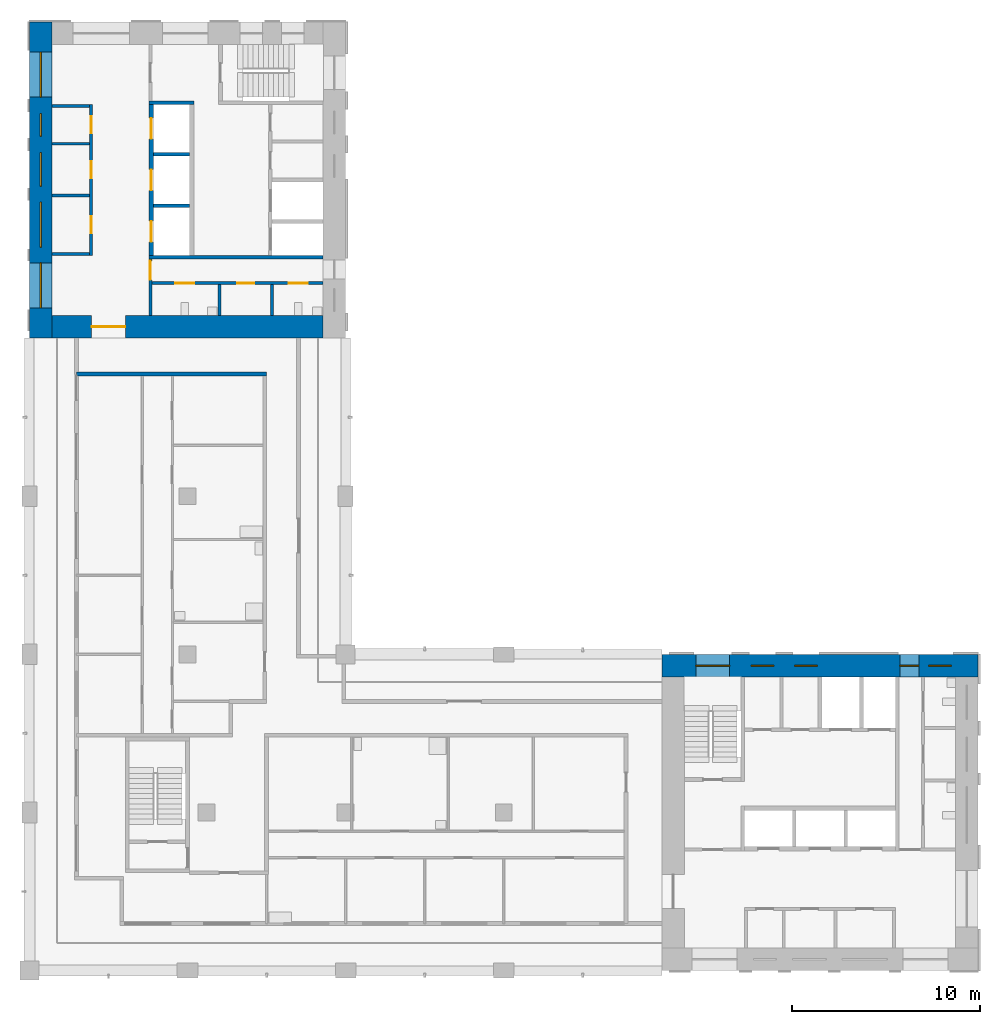
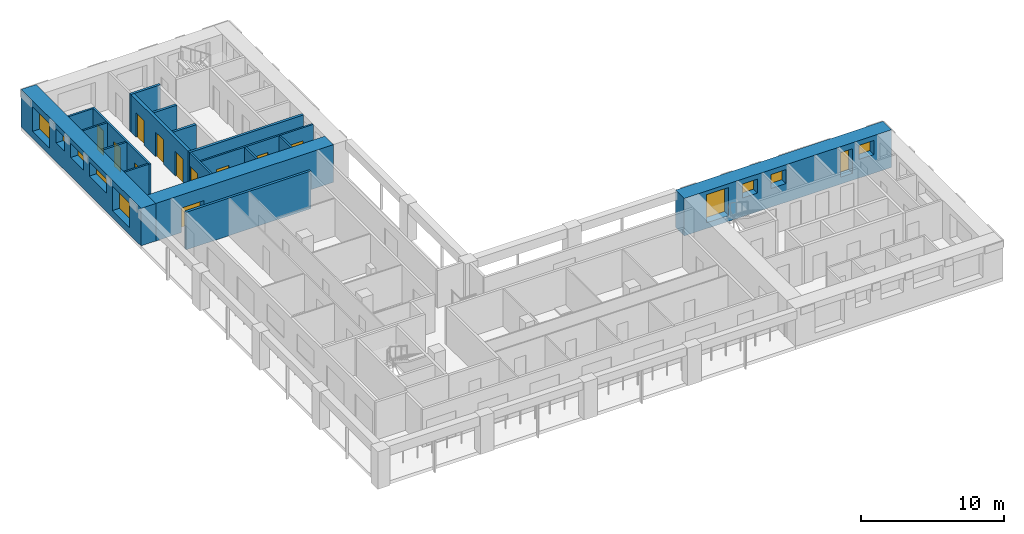
# One storey, part 5 of 9: 18 walls, 11 doors, 10 windows, 21 openings.
"""IFC4 building model written with IfcOpenShell, lengths in metres."""

from ifc_helpers import new_model, si_unit, direction, frame, frame_2d, origin, place, context, subcontext, project, spatial, rectangle, extrude, material, layer, layer_set, type_object, element, fill, save


model = new_model("IFC4")

# Units and contexts
model_context = context("Model", 3, precision=1e-05, world=origin(), true_north=direction((0.0, 1.0)))
body_context = subcontext(model_context, "Body", "Model", "MODEL_VIEW")
ifc_project = project(units=[si_unit("LENGTHUNIT", "METRE"), si_unit("AREAUNIT", "SQUARE_METRE"), si_unit("VOLUMEUNIT", "CUBIC_METRE"), si_unit("PLANEANGLEUNIT", "RADIAN"), si_unit("MASSUNIT", "GRAM", prefix="KILO")], contexts=[model_context])

# Site, building, storey
site_placement = place(None, origin())
site = spatial("IfcSite", under=ifc_project, at=site_placement, CompositionType="ELEMENT")
building_placement = place(site_placement, origin())
building = spatial("IfcBuilding", under=site, at=building_placement, Name="Vermilion Gate Residences", CompositionType="ELEMENT")
storey_placement = place(building_placement, frame((0.0, 0.0, 231.699951171875)))
storey = spatial("IfcBuildingStorey", under=building, at=storey_placement, Name="L60", CompositionType="ELEMENT", Elevation=231.699951171875)

# Walls
ifc_material_1 = material(Name="Masonry blockwork", Category="masonry")
ifc_layer_1 = layer(ifc_material_1, 0.14990234375)
ifc_layer_set_1 = layer_set([ifc_layer_1], Name="BLOCKWORK PARTITION 150 EI 120")
wall_type_1 = type_object("IfcWallType", Name="BLOCKWORK PARTITION 150 EI 120", PredefinedType="PARTITIONING", material=ifc_layer_set_1)
for number, where, z_axis, x_axis, name in (
    (1, (9.60009765625, 54.324951171875, 0.0), (0.0, 0.0, 1.0), (1.0, 0.0, 0.0), "Core room partition B60-RW-W"),
    (2, (9.60009765625, 46.47509765625, 0.0), (0.0, 0.0, 1.0), (1.0, 0.0, 0.0), "Core room partition B60-RW-E"),
    (3, (9.60009765625, 52.324951171875, 0.0), (0.0, 0.0, 1.0), (1.0, 0.0, 0.0), "Core room partition B60-SR-P0"),
    (4, (9.60009765625, 49.5849609375, 0.0), (0.0, 0.0, 1.0), (1.0, 0.0, 0.0), "Core room partition B60-SR-P1"),
):
    element("IfcWall", number, at=place(storey_placement, frame(where, z_axis=z_axis, x_axis=x_axis)), inside=storey, type_object=wall_type_1, Name=name, PredefinedType="PARTITIONING", context=body_context, shape_type="SweptSolid", body=[
        extrude(rectangle(XDim=2.0, YDim=0.14990234375, at=frame_2d((1.0, 0.0))), origin(), (0.0, 0.0, 1.0), 3.219970703125),
    ])

# Wall, openings, doors
wall_1_placement = place(storey_placement, frame((11.675048828125, 54.39990234375, 0.0), z_axis=(0.0, 0.0, 1.0), x_axis=(0.0, -1.0, 0.0)))
wall_1 = element("IfcWall", 5, at=wall_1_placement, inside=storey, type_object=wall_type_1, Name="Core room partition B60-LR-F", PredefinedType="PARTITIONING", context=body_context, shape_type="SweptSolid", body=[
    extrude(rectangle(XDim=8.0, YDim=0.14990234375, at=frame_2d((4.0, 0.0))), origin(), (0.0, 0.0, 1.0), 3.219970703125),
])
opening_1_placement = place(wall_1_placement, frame((0.625, 0.0, 0.0)))
opening_1 = element("IfcOpeningElement", 6, at=opening_1_placement, cuts=wall_1, Name="Opening DK60102", PredefinedType="OPENING", context=body_context, shape_type="SweptSolid", body=[
    extrude(rectangle(XDim=0.89990234375, YDim=2.10009765625, at=frame_2d((0.449951171875, 1.050048828125))), frame((0.0, 0.0849609375, 0.0), z_axis=(0.0, -1.0, 0.0), x_axis=(1.0, 0.0, 0.0)), (0.0, 0.0, 1.0), 0.169921875),
])
opening_2_placement = place(wall_1_placement, frame((2.9951171875, 0.0, 0.0)))
opening_2 = element("IfcOpeningElement", 7, at=opening_2_placement, cuts=wall_1, Name="Opening DK60103", PredefinedType="OPENING", context=body_context, shape_type="SweptSolid", body=[
    extrude(rectangle(XDim=0.89990234375, YDim=2.10009765625, at=frame_2d((0.449951171875, 1.050048828125))), frame((0.0, 0.0849609375, 0.0), z_axis=(0.0, -1.0, 0.0), x_axis=(1.0, 0.0, 0.0)), (0.0, 0.0, 1.0), 0.169921875),
])
opening_3_placement = place(wall_1_placement, frame((5.919921875, 0.0, 0.0)))
opening_3 = element("IfcOpeningElement", 8, at=opening_3_placement, cuts=wall_1, Name="Opening DK60104", PredefinedType="OPENING", context=body_context, shape_type="SweptSolid", body=[
    extrude(rectangle(XDim=0.89990234375, YDim=2.10009765625, at=frame_2d((0.449951171875, 1.050048828125))), frame((0.0, 0.0849609375, 0.0), z_axis=(0.0, -1.0, 0.0), x_axis=(1.0, 0.0, 0.0)), (0.0, 0.0, 1.0), 0.169921875),
])
ifc_material_2 = material(Name="Steel", Category="steel")
door_type_1 = type_object("IfcDoorType", Name="SERVICE ROOM DOOR FD60 900 X 2100", OperationType="SINGLE_SWING_LEFT", PredefinedType="DOOR", material=ifc_material_2)
door_1_placement = place(opening_1_placement, frame((0.89990234375, 0.0, 0.0), z_axis=(0.0, 0.0, 1.0), x_axis=(-1.0, 0.0, 0.0)))
door_1 = element("IfcDoor", 9, at=door_1_placement, inside=storey, type_object=door_type_1, Name="Mail room B60", OperationType="SINGLE_SWING_LEFT", OverallHeight=2.10009765625, OverallWidth=0.89990234375, PredefinedType="DOOR", context=body_context, shape_type="SweptSolid", body=[
    extrude(rectangle(XDim=0.89990234375, YDim=2.10009765625, at=frame_2d((0.449951171875, 1.050048828125))), frame((0.0, 0.02490234375, 0.0), z_axis=(0.0, -1.0, 0.0), x_axis=(1.0, 0.0, 0.0)), (0.0, 0.0, 1.0), 0.050048828125),
])
fill(opening_1, door_1)
door_2_placement = place(opening_2_placement, frame((0.89990234375, 0.0, 0.0), z_axis=(0.0, 0.0, 1.0), x_axis=(-1.0, 0.0, 0.0)))
door_2 = element("IfcDoor", 10, at=door_2_placement, inside=storey, type_object=door_type_1, Name="Cleaner's store B60", OperationType="SINGLE_SWING_LEFT", OverallHeight=2.10009765625, OverallWidth=0.89990234375, PredefinedType="DOOR", context=body_context, shape_type="SweptSolid", body=[
    extrude(rectangle(XDim=0.89990234375, YDim=2.10009765625, at=frame_2d((0.449951171875, 1.050048828125))), frame((0.0, 0.02490234375, 0.0), z_axis=(0.0, -1.0, 0.0), x_axis=(1.0, 0.0, 0.0)), (0.0, 0.0, 1.0), 0.050048828125),
])
fill(opening_2, door_2)
door_3_placement = place(opening_3_placement, origin())
door_3 = element("IfcDoor", 11, at=door_3_placement, inside=storey, type_object=door_type_1, Name="Electrical room B60", OperationType="SINGLE_SWING_LEFT", OverallHeight=2.10009765625, OverallWidth=0.89990234375, PredefinedType="DOOR", context=body_context, shape_type="SweptSolid", body=[
    extrude(rectangle(XDim=0.89990234375, YDim=2.10009765625, at=frame_2d((0.449951171875, 1.050048828125))), frame((0.0, 0.02490234375, 0.0), z_axis=(0.0, -1.0, 0.0), x_axis=(1.0, 0.0, 0.0)), (0.0, 0.0, 1.0), 0.050048828125),
])
fill(opening_3, door_3)

# Wall, opening, door
wall_2_placement = place(storey_placement, frame((14.824951171875, 46.199951171875, 0.0), z_axis=(0.0, 0.0, 1.0), x_axis=(0.0, -1.0, 0.0)))
wall_2 = element("IfcWall", 12, at=wall_2_placement, inside=storey, type_object=wall_type_1, Name="Core room partition B60-ES-S", PredefinedType="PARTITIONING", context=body_context, shape_type="SweptSolid", body=[
    extrude(rectangle(XDim=3.0, YDim=0.14990234375, at=frame_2d((1.5, 0.0))), origin(), (0.0, 0.0, 1.0), 3.219970703125),
])
opening_4_placement = place(wall_2_placement, frame((0.10009765625, 0.0, 0.0)))
opening_4 = element("IfcOpeningElement", 13, at=opening_4_placement, cuts=wall_2, Name="Opening DK60114", PredefinedType="OPENING", context=body_context, shape_type="SweptSolid", body=[
    extrude(rectangle(XDim=1.0, YDim=2.10009765625, at=frame_2d((0.5, 1.050048828125))), frame((0.0, 0.0849609375, 0.0), z_axis=(0.0, -1.0, 0.0), x_axis=(1.0, 0.0, 0.0)), (0.0, 0.0, 1.0), 0.169921875),
])
ifc_material_3 = material(Name="Steel", Category="steel")
door_type_2 = type_object("IfcDoorType", Name="FIRE DOOR FD60 1000 X 2100", OperationType="SINGLE_SWING_LEFT", PredefinedType="DOOR", material=ifc_material_3)
door_4_placement = place(opening_4_placement, frame((1.0, 0.0, 0.0), z_axis=(0.0, 0.0, 1.0), x_axis=(-1.0, 0.0, 0.0)))
door_4 = element("IfcDoor", 14, at=door_4_placement, inside=storey, type_object=door_type_2, Name="Service corridor door B60", OperationType="SINGLE_SWING_LEFT", OverallHeight=2.10009765625, OverallWidth=1.0, PredefinedType="DOOR", context=body_context, shape_type="SweptSolid", body=[
    extrude(rectangle(XDim=1.0, YDim=2.10009765625, at=frame_2d((0.5, 1.050048828125))), frame((0.0, 0.02490234375, 0.0), z_axis=(0.0, -1.0, 0.0), x_axis=(1.0, 0.0, 0.0)), (0.0, 0.0, 1.0), 0.050048828125),
])
fill(opening_4, door_4)

# Walls
for number, where, z_axis, x_axis, name in (
    (15, (18.4951171875, 44.85009765625, 0.0), (0.0, 0.0, 1.0), (0.0, -1.0, 0.0), "Core room partition B60-ES-P0"),
    (16, (21.284912109375, 44.85009765625, 0.0), (0.0, 0.0, 1.0), (0.0, -1.0, 0.0), "Core room partition B60-ES-P1"),
):
    element("IfcWall", number, at=place(storey_placement, frame(where, z_axis=z_axis, x_axis=x_axis)), inside=storey, type_object=wall_type_1, Name=name, PredefinedType="PARTITIONING", context=body_context, shape_type="SweptSolid", body=[
        extrude(rectangle(XDim=1.650146484375, YDim=0.14990234375, at=frame_2d((0.8251953125, 0.0))), origin(), (0.0, 0.0, 1.0), 3.219970703125),
    ])

# Wall, openings, doors
wall_3_placement = place(storey_placement, frame((14.89990234375, 44.925048828125, 0.0), z_axis=(0.0, 0.0, 1.0), x_axis=(1.0, 0.0, 0.0)))
wall_3 = element("IfcWall", 17, at=wall_3_placement, inside=storey, type_object=wall_type_1, Name="Core room partition B60-ES-W", PredefinedType="PARTITIONING", context=body_context, shape_type="SweptSolid", body=[
    extrude(rectangle(XDim=9.10009765625, YDim=0.14990234375, at=frame_2d((4.550048828125, 0.0))), origin(), (0.0, 0.0, 1.0), 3.219970703125),
])
opening_5_placement = place(wall_3_placement, frame((1.260009765625, 0.0, 0.0)))
opening_5 = element("IfcOpeningElement", 18, at=opening_5_placement, cuts=wall_3, Name="Opening DK60115", PredefinedType="OPENING", context=body_context, shape_type="SweptSolid", body=[
    extrude(rectangle(XDim=1.0, YDim=2.10009765625, at=frame_2d((0.5, 1.050048828125))), frame((0.0, 0.0849609375, 0.0), z_axis=(0.0, -1.0, 0.0), x_axis=(1.0, 0.0, 0.0)), (0.0, 0.0, 1.0), 0.169921875),
])
opening_6_placement = place(wall_3_placement, frame((4.5400390625, 0.0, 0.0)))
opening_6 = element("IfcOpeningElement", 19, at=opening_6_placement, cuts=wall_3, Name="Opening DK60116", PredefinedType="OPENING", context=body_context, shape_type="SweptSolid", body=[
    extrude(rectangle(XDim=0.89990234375, YDim=2.10009765625, at=frame_2d((0.449951171875, 1.050048828125))), frame((0.0, 0.0849609375, 0.0), z_axis=(0.0, -1.0, 0.0), x_axis=(1.0, 0.0, 0.0)), (0.0, 0.0, 1.0), 0.169921875),
])
opening_7_placement = place(wall_3_placement, frame((7.280029296875, 0.0, 0.0)))
opening_7 = element("IfcOpeningElement", 20, at=opening_7_placement, cuts=wall_3, Name="Opening DK60117", PredefinedType="OPENING", context=body_context, shape_type="SweptSolid", body=[
    extrude(rectangle(XDim=1.0, YDim=2.10009765625, at=frame_2d((0.5, 1.050048828125))), frame((0.0, 0.0849609375, 0.0), z_axis=(0.0, -1.0, 0.0), x_axis=(1.0, 0.0, 0.0)), (0.0, 0.0, 1.0), 0.169921875),
])
door_5_placement = place(opening_5_placement, frame((1.0, 0.0, 0.0), z_axis=(0.0, 0.0, 1.0), x_axis=(-1.0, 0.0, 0.0)))
door_5 = element("IfcDoor", 21, at=door_5_placement, inside=storey, type_object=door_type_2, Name="Accessible WC B60", OperationType="SINGLE_SWING_RIGHT", OverallHeight=2.10009765625, OverallWidth=1.0, PredefinedType="DOOR", context=body_context, shape_type="SweptSolid", body=[
    extrude(rectangle(XDim=1.0, YDim=2.10009765625, at=frame_2d((0.5, 1.050048828125))), frame((0.0, 0.02490234375, 0.0), z_axis=(0.0, -1.0, 0.0), x_axis=(1.0, 0.0, 0.0)), (0.0, 0.0, 1.0), 0.050048828125),
])
fill(opening_5, door_5)
door_6_placement = place(opening_7_placement, frame((1.0, 0.0, 0.0), z_axis=(0.0, 0.0, 1.0), x_axis=(-1.0, 0.0, 0.0)))
door_6 = element("IfcDoor", 22, at=door_6_placement, inside=storey, type_object=door_type_2, Name="Accessible WC B60", OperationType="SINGLE_SWING_RIGHT", OverallHeight=2.10009765625, OverallWidth=1.0, PredefinedType="DOOR", context=body_context, shape_type="SweptSolid", body=[
    extrude(rectangle(XDim=1.0, YDim=2.10009765625, at=frame_2d((0.5, 1.050048828125))), frame((0.0, 0.02490234375, 0.0), z_axis=(0.0, -1.0, 0.0), x_axis=(1.0, 0.0, 0.0)), (0.0, 0.0, 1.0), 0.050048828125),
])
fill(opening_7, door_6)
door_7_placement = place(opening_6_placement, frame((0.89990234375, 0.0, 0.0), z_axis=(0.0, 0.0, 1.0), x_axis=(-1.0, 0.0, 0.0)))
door_7 = element("IfcDoor", 23, at=door_7_placement, inside=storey, type_object=door_type_1, Name="Communications room B60", OperationType="SINGLE_SWING_RIGHT", OverallHeight=2.10009765625, OverallWidth=0.89990234375, PredefinedType="DOOR", context=body_context, shape_type="SweptSolid", body=[
    extrude(rectangle(XDim=0.89990234375, YDim=2.10009765625, at=frame_2d((0.449951171875, 1.050048828125))), frame((0.0, 0.02490234375, 0.0), z_axis=(0.0, -1.0, 0.0), x_axis=(1.0, 0.0, 0.0)), (0.0, 0.0, 1.0), 0.050048828125),
])
fill(opening_6, door_7)

# Walls
ifc_material_4 = material(Name="Fire-rated plasterboard on steel studs", Category="steel")
ifc_layer_2 = layer(ifc_material_4, 0.199951171875)
ifc_layer_set_2 = layer_set([ifc_layer_2], Name="PARTY WALL 200 EI 120")
wall_type_2 = type_object("IfcWallType", Name="PARTY WALL 200 EI 120", PredefinedType="PARTITIONING", material=ifc_layer_set_2)
wall_4_placement = place(storey_placement, frame((10.89990234375, 40.10009765625, 0.0), z_axis=(0.0, 0.0, 1.0), x_axis=(1.0, 0.0, 0.0)))
element("IfcWall", 24, at=wall_4_placement, inside=storey, type_object=wall_type_2, Name="Party and corridor wall", PredefinedType="PARTITIONING", context=body_context, shape_type="SweptSolid", body=[
    extrude(rectangle(XDim=10.10009765625, YDim=0.199951171875, at=frame_2d((5.050048828125, 0.0))), origin(), (0.0, 0.0, 1.0), 3.219970703125),
])
ifc_material_5 = material(Name="Concrete C60", Category="concrete")
ifc_layer_3 = layer(ifc_material_5, 0.199951171875)
ifc_layer_set_3 = layer_set([ifc_layer_3], Name="RC CORE INTERNAL WALL 200 C60")
wall_type_3 = type_object("IfcWallType", Name="RC CORE INTERNAL WALL 200 C60", PredefinedType="SHEAR", material=ifc_layer_set_3)
for number, where, z_axis, x_axis, name in (
    (25, (15.0, 51.7666015625, 0.0), (0.0, 0.0, 1.0), (1.0, 0.0, 0.0), "Core internal wall B60-HR-D1"),
    (26, (15.0, 49.033447265625, 0.0), (0.0, 0.0, 1.0), (1.0, 0.0, 0.0), "Core internal wall B60-HR-D2"),
):
    element("IfcWall", number, at=place(storey_placement, frame(where, z_axis=z_axis, x_axis=x_axis)), inside=storey, type_object=wall_type_3, Name=name, PredefinedType="SHEAR", context=body_context, shape_type="SweptSolid", body=[
        extrude(rectangle(XDim=1.89990234375, YDim=0.199951171875, at=frame_2d((0.949951171875, 0.0))), origin(), (0.0, 0.0, 1.0), 3.219970703125),
    ])
wall_5_placement = place(storey_placement, frame((14.75, 54.5, 0.0), z_axis=(0.0, 0.0, 1.0), x_axis=(1.0, 0.0, 0.0)))
element("IfcWall", 27, at=wall_5_placement, inside=storey, type_object=wall_type_3, Name="Core internal wall B60-WDIV1", PredefinedType="SHEAR", context=body_context, shape_type="SweptSolid", body=[
    extrude(rectangle(XDim=2.39990234375, YDim=0.199951171875, at=frame_2d((1.199951171875, 0.0))), origin(), (0.0, 0.0, 1.0), 3.219970703125),
])
wall_6_placement = place(storey_placement, frame((14.75, 46.300048828125, 0.0), z_axis=(0.0, 0.0, 1.0), x_axis=(1.0, 0.0, 0.0)))
element("IfcWall", 28, at=wall_6_placement, inside=storey, type_object=wall_type_3, Name="Core internal wall B60-EDIV", PredefinedType="SHEAR", context=body_context, shape_type="SweptSolid", body=[
    extrude(rectangle(XDim=9.25, YDim=0.199951171875, at=frame_2d((4.625, 0.0))), origin(), (0.0, 0.0, 1.0), 3.219970703125),
])

# Wall, opening, door
ifc_material_6 = material(Name="Concrete C50", Category="concrete")
ifc_layer_4 = layer(ifc_material_6, 1.199951171875)
ifc_layer_set_4 = layer_set([ifc_layer_4], Name="RC CORE WALL 1200 C50")
wall_type_4 = type_object("IfcWallType", Name="RC CORE WALL 1200 C50", PredefinedType="SHEAR", material=ifc_layer_set_4)
wall_7_placement = place(storey_placement, frame((9.60009765625, 42.60009765625, 0.0), z_axis=(0.0, 0.0, 1.0), x_axis=(1.0, 0.0, 0.0)))
wall_7 = element("IfcWall", 29, at=wall_7_placement, inside=storey, type_object=wall_type_4, Name="Core wall B60-OUT-BK", PredefinedType="SHEAR", context=body_context, shape_type="SweptSolid", body=[
    extrude(rectangle(XDim=14.39990234375, YDim=1.199951171875, at=frame_2d((7.199951171875, 0.0))), origin(), (0.0, 0.0, 1.0), 3.219970703125),
])
opening_8_placement = place(wall_7_placement, frame((2.10009765625, 0.0, 0.0)))
opening_8 = element("IfcOpeningElement", 30, at=opening_8_placement, cuts=wall_7, Name="Opening DK60101", PredefinedType="OPENING", context=body_context, shape_type="SweptSolid", body=[
    extrude(rectangle(XDim=1.800048828125, YDim=2.10009765625, at=frame_2d((0.89990234375, 1.050048828125))), frame((0.0, 0.60986328125, 0.0), z_axis=(0.0, -1.0, 0.0), x_axis=(1.0, 0.0, 0.0)), (0.0, 0.0, 1.0), 1.219970703125),
])
ifc_material_7 = material(Name="Steel", Category="steel")
door_type_3 = type_object("IfcDoorType", Name="CORE LOBBY DOOR FD60 1800 X 2100", OperationType="DOUBLE_DOOR_SINGLE_SWING", PredefinedType="DOOR", material=ifc_material_7)
door_8_placement = place(opening_8_placement, frame((1.800048828125, 0.0, 0.0), z_axis=(0.0, 0.0, 1.0), x_axis=(-1.0, 0.0, 0.0)))
door_8 = element("IfcDoor", 31, at=door_8_placement, inside=storey, type_object=door_type_3, Name="Core lobby door B60", OperationType="DOUBLE_DOOR_SINGLE_SWING", OverallHeight=2.10009765625, OverallWidth=1.800048828125, PredefinedType="DOOR", context=body_context, shape_type="SweptSolid", body=[
    extrude(rectangle(XDim=1.800048828125, YDim=2.10009765625, at=frame_2d((0.89990234375, 1.050048828125))), frame((0.0, 0.02490234375, 0.0), z_axis=(0.0, -1.0, 0.0), x_axis=(1.0, 0.0, 0.0)), (0.0, 0.0, 1.0), 0.050048828125),
])
fill(opening_8, door_8)

# Wall, openings, windows
ifc_material_8 = material(Name="Concrete C50 red-oxide pigmented", Category="concrete")
ifc_layer_5 = layer(ifc_material_8, 1.199951171875)
ifc_layer_set_5 = layer_set([ifc_layer_5], Name="RC CORE WALL 1200 C50 RED OXIDE")
wall_type_5 = type_object("IfcWallType", Name="RC CORE WALL 1200 C50 RED OXIDE", PredefinedType="SHEAR", material=ifc_layer_set_5)
wall_8_placement = place(storey_placement, frame((42.0, 24.60009765625, 0.0), z_axis=(0.0, 0.0, 1.0), x_axis=(1.0, 0.0, 0.0)))
wall_8 = element("IfcWall", 32, at=wall_8_placement, inside=storey, type_object=wall_type_5, Name="Core wall A60-OUT-B1", PredefinedType="SHEAR", context=body_context, shape_type="SweptSolid", body=[
    extrude(rectangle(XDim=16.800048828125, YDim=1.199951171875, at=frame_2d((8.39990234375, 0.0))), origin(), (0.0, 0.0, 1.0), 3.219970703125),
])
opening_9_placement = place(wall_8_placement, frame((1.800048828125, 0.0, 0.5)))
opening_9 = element("IfcOpeningElement", 33, at=opening_9_placement, cuts=wall_8, Name="Opening WKA6006", PredefinedType="OPENING", context=body_context, shape_type="SweptSolid", body=[
    extrude(rectangle(XDim=1.800048828125, YDim=2.39990234375, at=frame_2d((0.89990234375, 1.199951171875))), frame((0.0, 0.60986328125, 0.0), z_axis=(0.0, -1.0, 0.0), x_axis=(1.0, 0.0, 0.0)), (0.0, 0.0, 1.0), 1.219970703125),
])
opening_10_placement = place(wall_8_placement, frame((4.737548828125, 0.0, 1.60009765625)))
opening_10 = element("IfcOpeningElement", 34, at=opening_10_placement, cuts=wall_8, Name="Opening WKA6007", PredefinedType="OPENING", context=body_context, shape_type="SweptSolid", body=[
    extrude(rectangle(XDim=1.199951171875, YDim=1.199951171875, at=frame_2d((0.60009765625, 0.60009765625))), frame((0.0, 0.60986328125, 0.0), z_axis=(0.0, -1.0, 0.0), x_axis=(1.0, 0.0, 0.0)), (0.0, 0.0, 1.0), 1.219970703125),
])
opening_11_placement = place(wall_8_placement, frame((7.050048828125, 0.0, 1.60009765625)))
opening_11 = element("IfcOpeningElement", 35, at=opening_11_placement, cuts=wall_8, Name="Opening WKA6008", PredefinedType="OPENING", context=body_context, shape_type="SweptSolid", body=[
    extrude(rectangle(XDim=1.199951171875, YDim=1.199951171875, at=frame_2d((0.60009765625, 0.60009765625))), frame((0.0, 0.60986328125, 0.0), z_axis=(0.0, -1.0, 0.0), x_axis=(1.0, 0.0, 0.0)), (0.0, 0.0, 1.0), 1.219970703125),
])
opening_12_placement = place(wall_8_placement, frame((12.64990234375, 0.0, 0.60009765625)))
opening_12 = element("IfcOpeningElement", 36, at=opening_12_placement, cuts=wall_8, Name="Opening WKA6009", PredefinedType="OPENING", context=body_context, shape_type="SweptSolid", body=[
    extrude(rectangle(XDim=1.0, YDim=2.10009765625, at=frame_2d((0.5, 1.050048828125))), frame((0.0, 0.60986328125, 0.0), z_axis=(0.0, -1.0, 0.0), x_axis=(1.0, 0.0, 0.0)), (0.0, 0.0, 1.0), 1.219970703125),
])
opening_13_placement = place(wall_8_placement, frame((14.175048828125, 0.0, 1.60009765625)))
opening_13 = element("IfcOpeningElement", 37, at=opening_13_placement, cuts=wall_8, Name="Opening WKA6010", PredefinedType="OPENING", context=body_context, shape_type="SweptSolid", body=[
    extrude(rectangle(XDim=1.199951171875, YDim=1.199951171875, at=frame_2d((0.60009765625, 0.60009765625))), frame((0.0, 0.60986328125, 0.0), z_axis=(0.0, -1.0, 0.0), x_axis=(1.0, 0.0, 0.0)), (0.0, 0.0, 1.0), 1.219970703125),
])
ifc_material_9 = material(Name="Aluminium and clear glass", Category="aluminium")
window_type_1 = type_object("IfcWindowType", Name="CORE CORRIDOR WINDOW 1000 X 2100", PartitioningType="SINGLE_PANEL", PredefinedType="WINDOW", material=ifc_material_9)
window_1_placement = place(opening_12_placement, origin())
window_1 = element("IfcWindow", 38, at=window_1_placement, inside=storey, type_object=window_type_1, Name="Core corridor window", OverallHeight=2.10009765625, OverallWidth=1.0, PartitioningType="SINGLE_PANEL", PredefinedType="WINDOW", context=body_context, shape_type="SweptSolid", body=[
    extrude(rectangle(XDim=1.0, YDim=2.10009765625, at=frame_2d((0.5, 1.050048828125))), frame((0.0, 0.030029296875, 0.0), z_axis=(0.0, -1.0, 0.0), x_axis=(1.0, 0.0, 0.0)), (0.0, 0.0, 1.0), 0.06005859375),
])
fill(opening_12, window_1)
ifc_material_10 = material(Name="Aluminium frame with louvre blades", Category="aluminium")
window_type_2 = type_object("IfcWindowType", Name="CORE LOUVRE 1200 X 1200", PartitioningType="SINGLE_PANEL", PredefinedType="WINDOW", material=ifc_material_10)
window_2_placement = place(opening_10_placement, origin())
window_2 = element("IfcWindow", 39, at=window_2_placement, inside=storey, type_object=window_type_2, Name="Core louvre", OverallHeight=1.199951171875, OverallWidth=1.199951171875, PartitioningType="SINGLE_PANEL", PredefinedType="WINDOW", context=body_context, shape_type="SweptSolid", body=[
    extrude(rectangle(XDim=1.199951171875, YDim=1.199951171875, at=frame_2d((0.60009765625, 0.60009765625))), frame((0.0, 0.030029296875, 0.0), z_axis=(0.0, -1.0, 0.0), x_axis=(1.0, 0.0, 0.0)), (0.0, 0.0, 1.0), 0.06005859375),
])
fill(opening_10, window_2)
window_3_placement = place(opening_11_placement, origin())
window_3 = element("IfcWindow", 40, at=window_3_placement, inside=storey, type_object=window_type_2, Name="Core louvre", OverallHeight=1.199951171875, OverallWidth=1.199951171875, PartitioningType="SINGLE_PANEL", PredefinedType="WINDOW", context=body_context, shape_type="SweptSolid", body=[
    extrude(rectangle(XDim=1.199951171875, YDim=1.199951171875, at=frame_2d((0.60009765625, 0.60009765625))), frame((0.0, 0.030029296875, 0.0), z_axis=(0.0, -1.0, 0.0), x_axis=(1.0, 0.0, 0.0)), (0.0, 0.0, 1.0), 0.06005859375),
])
fill(opening_11, window_3)
window_4_placement = place(opening_13_placement, origin())
window_4 = element("IfcWindow", 41, at=window_4_placement, inside=storey, type_object=window_type_2, Name="Core louvre", OverallHeight=1.199951171875, OverallWidth=1.199951171875, PartitioningType="SINGLE_PANEL", PredefinedType="WINDOW", context=body_context, shape_type="SweptSolid", body=[
    extrude(rectangle(XDim=1.199951171875, YDim=1.199951171875, at=frame_2d((0.60009765625, 0.60009765625))), frame((0.0, 0.030029296875, 0.0), z_axis=(0.0, -1.0, 0.0), x_axis=(1.0, 0.0, 0.0)), (0.0, 0.0, 1.0), 0.06005859375),
])
fill(opening_13, window_4)
ifc_material_11 = material(Name="Aluminium and clear glass", Category="aluminium")
window_type_3 = type_object("IfcWindowType", Name="CORE STAIR WINDOW 1800 X 2400", PartitioningType="SINGLE_PANEL", PredefinedType="WINDOW", material=ifc_material_11)
window_5_placement = place(opening_9_placement, origin())
window_5 = element("IfcWindow", 42, at=window_5_placement, inside=storey, type_object=window_type_3, Name="Core stair window", OverallHeight=2.39990234375, OverallWidth=1.800048828125, PartitioningType="SINGLE_PANEL", PredefinedType="WINDOW", context=body_context, shape_type="SweptSolid", body=[
    extrude(rectangle(XDim=1.800048828125, YDim=2.39990234375, at=frame_2d((0.89990234375, 1.199951171875))), frame((0.0, 0.030029296875, 0.0), z_axis=(0.0, -1.0, 0.0), x_axis=(1.0, 0.0, 0.0)), (0.0, 0.0, 1.0), 0.06005859375),
])
fill(opening_9, window_5)

wall_9_placement = place(storey_placement, frame((9.0, 58.800048828125, 0.0), z_axis=(0.0, 0.0, 1.0), x_axis=(0.0, -1.0, 0.0)))
wall_9 = element("IfcWall", 43, at=wall_9_placement, inside=storey, type_object=wall_type_5, Name="Core wall B60-OUT-B0", PredefinedType="SHEAR", context=body_context, shape_type="SweptSolid", body=[
    extrude(rectangle(XDim=16.800048828125, YDim=1.199951171875, at=frame_2d((8.39990234375, 0.0))), origin(), (0.0, 0.0, 1.0), 3.219970703125),
])
opening_14_placement = place(wall_9_placement, frame((1.60009765625, 0.0, 0.60009765625)))
opening_14 = element("IfcOpeningElement", 44, at=opening_14_placement, cuts=wall_9, Name="Opening WKB6001", PredefinedType="OPENING", context=body_context, shape_type="SweptSolid", body=[
    extrude(rectangle(XDim=2.39990234375, YDim=2.10009765625, at=frame_2d((1.199951171875, 1.050048828125))), frame((0.0, 0.60986328125, 0.0), z_axis=(0.0, -1.0, 0.0), x_axis=(1.0, 0.0, 0.0)), (0.0, 0.0, 1.0), 1.219970703125),
])
opening_15_placement = place(wall_9_placement, frame((4.875, 0.0, 1.60009765625)))
opening_15 = element("IfcOpeningElement", 45, at=opening_15_placement, cuts=wall_9, Name="Opening WKB6002", PredefinedType="OPENING", context=body_context, shape_type="SweptSolid", body=[
    extrude(rectangle(XDim=1.199951171875, YDim=1.199951171875, at=frame_2d((0.60009765625, 0.60009765625))), frame((0.0, 0.60986328125, 0.0), z_axis=(0.0, -1.0, 0.0), x_axis=(1.0, 0.0, 0.0)), (0.0, 0.0, 1.0), 1.219970703125),
])
opening_16_placement = place(wall_9_placement, frame((6.945068359375, 0.0, 1.60009765625)))
opening_16 = element("IfcOpeningElement", 46, at=opening_16_placement, cuts=wall_9, Name="Opening WKB6003", PredefinedType="OPENING", context=body_context, shape_type="SweptSolid", body=[
    extrude(rectangle(XDim=1.800048828125, YDim=1.199951171875, at=frame_2d((0.89990234375, 0.60009765625))), frame((0.0, 0.60986328125, 0.0), z_axis=(0.0, -1.0, 0.0), x_axis=(1.0, 0.0, 0.0)), (0.0, 0.0, 1.0), 1.219970703125),
])
opening_17_placement = place(wall_9_placement, frame((9.570068359375, 0.0, 1.60009765625)))
opening_17 = element("IfcOpeningElement", 47, at=opening_17_placement, cuts=wall_9, Name="Opening WKB6004", PredefinedType="OPENING", context=body_context, shape_type="SweptSolid", body=[
    extrude(rectangle(XDim=2.39990234375, YDim=1.199951171875, at=frame_2d((1.199951171875, 0.60009765625))), frame((0.0, 0.60986328125, 0.0), z_axis=(0.0, -1.0, 0.0), x_axis=(1.0, 0.0, 0.0)), (0.0, 0.0, 1.0), 1.219970703125),
])
opening_18_placement = place(wall_9_placement, frame((12.800048828125, 0.0, 0.60009765625)))
opening_18 = element("IfcOpeningElement", 48, at=opening_18_placement, cuts=wall_9, Name="Opening WKB6005", PredefinedType="OPENING", context=body_context, shape_type="SweptSolid", body=[
    extrude(rectangle(XDim=2.39990234375, YDim=2.10009765625, at=frame_2d((1.199951171875, 1.050048828125))), frame((0.0, 0.60986328125, 0.0), z_axis=(0.0, -1.0, 0.0), x_axis=(1.0, 0.0, 0.0)), (0.0, 0.0, 1.0), 1.219970703125),
])
ifc_material_12 = material(Name="Aluminium and clear glass", Category="aluminium")
window_type_4 = type_object("IfcWindowType", Name="CORE LOBBY WINDOW 2400 X 2100", PartitioningType="SINGLE_PANEL", PredefinedType="WINDOW", material=ifc_material_12)
window_6_placement = place(opening_14_placement, origin())
window_6 = element("IfcWindow", 49, at=window_6_placement, inside=storey, type_object=window_type_4, Name="Core lobby window", OverallHeight=2.10009765625, OverallWidth=2.39990234375, PartitioningType="SINGLE_PANEL", PredefinedType="WINDOW", context=body_context, shape_type="SweptSolid", body=[
    extrude(rectangle(XDim=2.39990234375, YDim=2.10009765625, at=frame_2d((1.199951171875, 1.050048828125))), frame((0.0, 0.030029296875, 0.0), z_axis=(0.0, -1.0, 0.0), x_axis=(1.0, 0.0, 0.0)), (0.0, 0.0, 1.0), 0.06005859375),
])
fill(opening_14, window_6)
window_7_placement = place(opening_18_placement, origin())
window_7 = element("IfcWindow", 50, at=window_7_placement, inside=storey, type_object=window_type_4, Name="Core lobby window", OverallHeight=2.10009765625, OverallWidth=2.39990234375, PartitioningType="SINGLE_PANEL", PredefinedType="WINDOW", context=body_context, shape_type="SweptSolid", body=[
    extrude(rectangle(XDim=2.39990234375, YDim=2.10009765625, at=frame_2d((1.199951171875, 1.050048828125))), frame((0.0, 0.030029296875, 0.0), z_axis=(0.0, -1.0, 0.0), x_axis=(1.0, 0.0, 0.0)), (0.0, 0.0, 1.0), 0.06005859375),
])
fill(opening_18, window_7)
window_8_placement = place(opening_15_placement, origin())
window_8 = element("IfcWindow", 51, at=window_8_placement, inside=storey, type_object=window_type_2, Name="Core louvre", OverallHeight=1.199951171875, OverallWidth=1.199951171875, PartitioningType="SINGLE_PANEL", PredefinedType="WINDOW", context=body_context, shape_type="SweptSolid", body=[
    extrude(rectangle(XDim=1.199951171875, YDim=1.199951171875, at=frame_2d((0.60009765625, 0.60009765625))), frame((0.0, 0.030029296875, 0.0), z_axis=(0.0, -1.0, 0.0), x_axis=(1.0, 0.0, 0.0)), (0.0, 0.0, 1.0), 0.06005859375),
])
fill(opening_15, window_8)
ifc_material_13 = material(Name="Aluminium frame with louvre blades", Category="aluminium")
window_type_5 = type_object("IfcWindowType", Name="CORE LOUVRE 1800 X 1200", PartitioningType="SINGLE_PANEL", PredefinedType="WINDOW", material=ifc_material_13)
window_9_placement = place(opening_16_placement, origin())
window_9 = element("IfcWindow", 52, at=window_9_placement, inside=storey, type_object=window_type_5, Name="Core louvre", OverallHeight=1.199951171875, OverallWidth=1.800048828125, PartitioningType="SINGLE_PANEL", PredefinedType="WINDOW", context=body_context, shape_type="SweptSolid", body=[
    extrude(rectangle(XDim=1.800048828125, YDim=1.199951171875, at=frame_2d((0.89990234375, 0.60009765625))), frame((0.0, 0.030029296875, 0.0), z_axis=(0.0, -1.0, 0.0), x_axis=(1.0, 0.0, 0.0)), (0.0, 0.0, 1.0), 0.06005859375),
])
fill(opening_16, window_9)
ifc_material_14 = material(Name="Aluminium frame with louvre blades", Category="aluminium")
window_type_6 = type_object("IfcWindowType", Name="CORE LOUVRE 2400 X 1200", PartitioningType="SINGLE_PANEL", PredefinedType="WINDOW", material=ifc_material_14)
window_10_placement = place(opening_17_placement, origin())
window_10 = element("IfcWindow", 53, at=window_10_placement, inside=storey, type_object=window_type_6, Name="Core louvre", OverallHeight=1.199951171875, OverallWidth=2.39990234375, PartitioningType="SINGLE_PANEL", PredefinedType="WINDOW", context=body_context, shape_type="SweptSolid", body=[
    extrude(rectangle(XDim=2.39990234375, YDim=1.199951171875, at=frame_2d((1.199951171875, 0.60009765625))), frame((0.0, 0.030029296875, 0.0), z_axis=(0.0, -1.0, 0.0), x_axis=(1.0, 0.0, 0.0)), (0.0, 0.0, 1.0), 0.06005859375),
])
fill(opening_17, window_10)

# Wall, openings, doors
ifc_material_15 = material(Name="Concrete C60", Category="concrete")
ifc_layer_6 = layer(ifc_material_15, 0.25)
ifc_layer_set_6 = layer_set([ifc_layer_6], Name="RC LIFT SHAFT WALL 250 C60")
wall_type_6 = type_object("IfcWallType", Name="RC LIFT SHAFT WALL 250 C60", PredefinedType="SHEAR", material=ifc_layer_set_6)
wall_10_placement = place(storey_placement, frame((14.875, 54.39990234375, 0.0), z_axis=(0.0, 0.0, 1.0), x_axis=(0.0, -1.0, 0.0)))
wall_10 = element("IfcWall", 54, at=wall_10_placement, inside=storey, type_object=wall_type_6, Name="Lift shaft wall B60-HR-F", PredefinedType="SHEAR", context=body_context, shape_type="SweptSolid", body=[
    extrude(rectangle(XDim=8.0, YDim=0.25, at=frame_2d((4.0, 0.0))), origin(), (0.0, 0.0, 1.0), 3.219970703125),
])
opening_19_placement = place(wall_10_placement, frame((0.716552734375, 0.0, 0.0)))
opening_19 = element("IfcOpeningElement", 55, at=opening_19_placement, cuts=wall_10, Name="Opening LD", PredefinedType="OPENING", context=body_context, shape_type="SweptSolid", body=[
    extrude(rectangle(XDim=1.10009765625, YDim=2.10009765625, at=frame_2d((0.550048828125, 1.050048828125))), frame((0.0, 0.135009765625, 0.0), z_axis=(0.0, -1.0, 0.0), x_axis=(1.0, 0.0, 0.0)), (0.0, 0.0, 1.0), 0.27001953125),
])
opening_20_placement = place(wall_10_placement, frame((3.449951171875, 0.0, 0.0)))
opening_20 = element("IfcOpeningElement", 56, at=opening_20_placement, cuts=wall_10, Name="Opening LD", PredefinedType="OPENING", context=body_context, shape_type="SweptSolid", body=[
    extrude(rectangle(XDim=1.10009765625, YDim=2.10009765625, at=frame_2d((0.550048828125, 1.050048828125))), frame((0.0, 0.135009765625, 0.0), z_axis=(0.0, -1.0, 0.0), x_axis=(1.0, 0.0, 0.0)), (0.0, 0.0, 1.0), 0.27001953125),
])
opening_21_placement = place(wall_10_placement, frame((6.183349609375, 0.0, 0.0)))
opening_21 = element("IfcOpeningElement", 57, at=opening_21_placement, cuts=wall_10, Name="Opening LD", PredefinedType="OPENING", context=body_context, shape_type="SweptSolid", body=[
    extrude(rectangle(XDim=1.10009765625, YDim=2.10009765625, at=frame_2d((0.550048828125, 1.050048828125))), frame((0.0, 0.135009765625, 0.0), z_axis=(0.0, -1.0, 0.0), x_axis=(1.0, 0.0, 0.0)), (0.0, 0.0, 1.0), 0.27001953125),
])
ifc_material_16 = material(Name="Stainless steel", Category="steel")
door_type_4 = type_object("IfcDoorType", Name="LIFT LANDING DOOR E60 1100 X 2100", OperationType="DOUBLE_DOOR_SLIDING", PredefinedType="DOOR", material=ifc_material_16)
door_9_placement = place(opening_19_placement, origin())
door_9 = element("IfcDoor", 58, at=door_9_placement, inside=storey, type_object=door_type_4, Name="Lift landing door HRB1", OperationType="DOUBLE_DOOR_SLIDING", OverallHeight=2.10009765625, OverallWidth=1.10009765625, PredefinedType="DOOR", context=body_context, shape_type="SweptSolid", body=[
    extrude(rectangle(XDim=1.10009765625, YDim=2.10009765625, at=frame_2d((0.550048828125, 1.050048828125))), frame((0.0, 0.02490234375, 0.0), z_axis=(0.0, -1.0, 0.0), x_axis=(1.0, 0.0, 0.0)), (0.0, 0.0, 1.0), 0.050048828125),
])
fill(opening_19, door_9)
door_10_placement = place(opening_20_placement, origin())
door_10 = element("IfcDoor", 59, at=door_10_placement, inside=storey, type_object=door_type_4, Name="Lift landing door HRB2", OperationType="DOUBLE_DOOR_SLIDING", OverallHeight=2.10009765625, OverallWidth=1.10009765625, PredefinedType="DOOR", context=body_context, shape_type="SweptSolid", body=[
    extrude(rectangle(XDim=1.10009765625, YDim=2.10009765625, at=frame_2d((0.550048828125, 1.050048828125))), frame((0.0, 0.02490234375, 0.0), z_axis=(0.0, -1.0, 0.0), x_axis=(1.0, 0.0, 0.0)), (0.0, 0.0, 1.0), 0.050048828125),
])
fill(opening_20, door_10)
door_11_placement = place(opening_21_placement, origin())
door_11 = element("IfcDoor", 60, at=door_11_placement, inside=storey, type_object=door_type_4, Name="Lift landing door HRB3", OperationType="DOUBLE_DOOR_SLIDING", OverallHeight=2.10009765625, OverallWidth=1.10009765625, PredefinedType="DOOR", context=body_context, shape_type="SweptSolid", body=[
    extrude(rectangle(XDim=1.10009765625, YDim=2.10009765625, at=frame_2d((0.550048828125, 1.050048828125))), frame((0.0, 0.02490234375, 0.0), z_axis=(0.0, -1.0, 0.0), x_axis=(1.0, 0.0, 0.0)), (0.0, 0.0, 1.0), 0.050048828125),
])
fill(opening_21, door_11)

save(model, "model.ifc")
